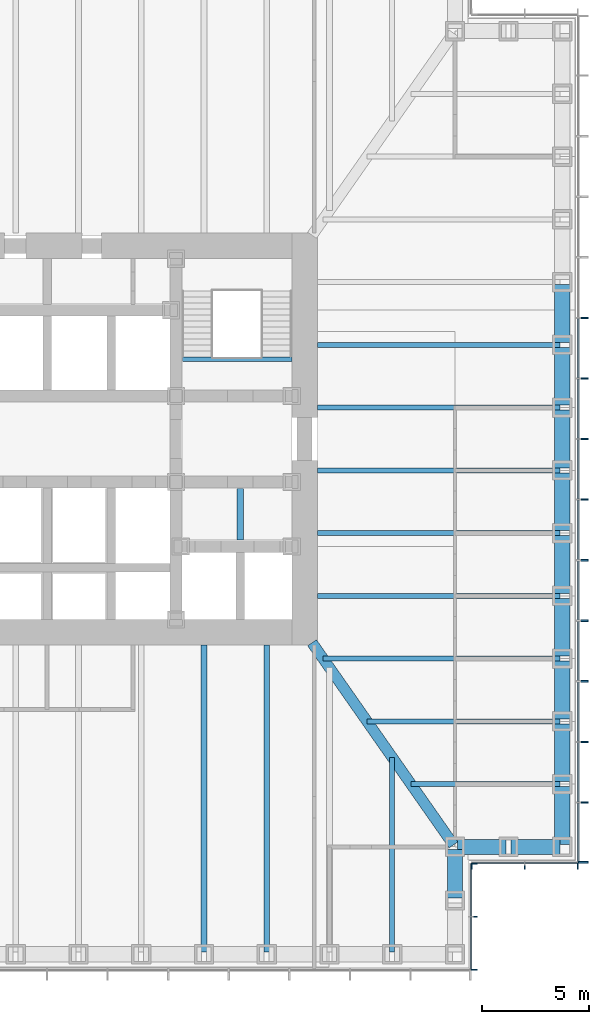
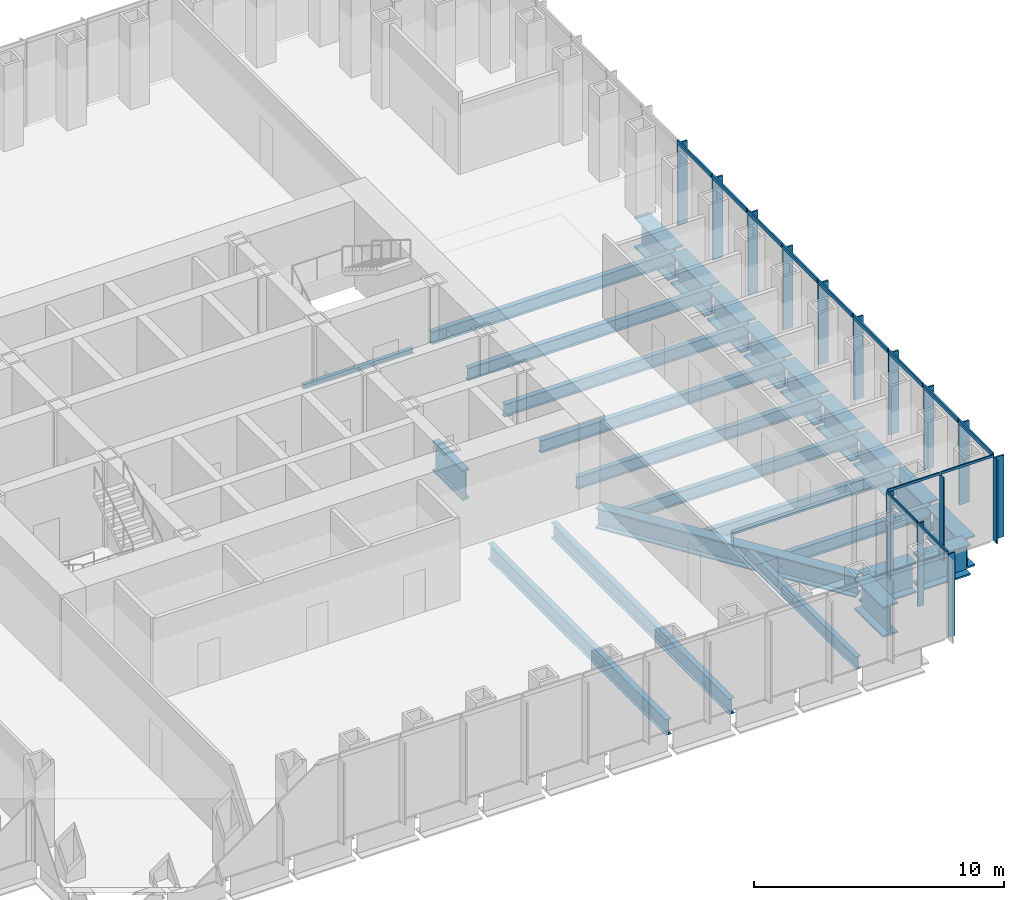
# One storey, part 4 of 16: 29 members, 26 beams, 3 elements without a shape of their own.
"""IFC4 building model written with IfcOpenShell, lengths in metres."""

from ifc_helpers import new_model, si_unit, direction, frame, origin, origin_2d, place, context, subcontext, project, spatial, rectangle, i_section, extrude, material, material_profile, profile_set, type_object, element, aggregate, save


model = new_model("IFC4")

# Units and contexts
model_context = context("Model", 3, precision=1e-05, world=origin(), true_north=direction((0.0, 1.0)))
body_context = subcontext(model_context, "Body", "Model", "MODEL_VIEW")
ifc_project = project(units=[si_unit("LENGTHUNIT", "METRE"), si_unit("AREAUNIT", "SQUARE_METRE"), si_unit("VOLUMEUNIT", "CUBIC_METRE"), si_unit("PLANEANGLEUNIT", "RADIAN"), si_unit("MASSUNIT", "GRAM", prefix="KILO")], contexts=[model_context])

# Site, building, storey
site_placement = place(None, origin())
site = spatial("IfcSite", under=ifc_project, at=site_placement, CompositionType="ELEMENT")
building_placement = place(site_placement, origin())
building = spatial("IfcBuilding", under=site, at=building_placement, Name="Daluyong Arena Tower", CompositionType="ELEMENT")
storey_placement = place(building_placement, frame((0.0, 0.0, 76.89990234375)))
storey = spatial("IfcBuildingStorey", under=building, at=storey_placement, Name="L16", CompositionType="ELEMENT", Elevation=76.89990234375)

# Curtain wall, members
ifc_material_1 = material(Name="Bronze anodised aluminium and glass", Category="aluminium")
curtain_wall_type_1 = type_object("IfcCurtainWallType", Name="Curtain wall CW1", PredefinedType="USERDEFINED", material=ifc_material_1)
curtain_wall_1_placement = place(storey_placement, origin())
curtain_wall_1 = element("IfcCurtainWall", 1, at=curtain_wall_1_placement, inside=storey, type_object=curtain_wall_type_1, Name="curtain wall L16 E", ObjectType="UNITISED CURTAIN WALL", PredefinedType="USERDEFINED")
ifc_material_2 = material(Name="Bronze anodised aluminium fin", Category="aluminium")
ifc_material_profile_1 = material_profile(ifc_material_2, rectangle(XDim=0.449951171875, YDim=0.080078125, at=origin_2d()))
ifc_profile_set_1 = profile_set([ifc_material_profile_1], Name="Bronze anodised aluminium fin")
member_type_1 = type_object("IfcMemberType", Name="CW1 bronze fin 450x80", PredefinedType="MULLION", material=ifc_profile_set_1)
member_1_placement = place(storey_placement, frame((80.97509765625, 60.2900390625, 0.0), z_axis=(0.0, 0.0, 1.0), x_axis=(-1.0, 0.0, 0.0)))
member_1 = element("IfcMember", 2, at=member_1_placement, type_object=member_type_1, Name="curtain wall L16 E fin 1", PredefinedType="MULLION", context=body_context, shape_type="SweptSolid", body=[
    extrude(rectangle(XDim=0.449951171875, YDim=0.080078125, at=origin_2d()), origin(), (0.0, 0.0, 1.0), 4.0),
])
member_2_placement = place(storey_placement, frame((80.97509765625, 63.071533203125, 0.0), z_axis=(0.0, 0.0, 1.0), x_axis=(-1.0, 0.0, 0.0)))
member_2 = element("IfcMember", 3, at=member_2_placement, type_object=member_type_1, Name="curtain wall L16 E fin 2", PredefinedType="MULLION", context=body_context, shape_type="SweptSolid", body=[
    extrude(rectangle(XDim=0.449951171875, YDim=0.080078125, at=origin_2d()), origin(), (0.0, 0.0, 1.0), 4.0),
])
member_3_placement = place(storey_placement, frame((80.97509765625, 65.892822265625, 0.0), z_axis=(0.0, 0.0, 1.0), x_axis=(-1.0, 0.0, 0.0)))
member_3 = element("IfcMember", 4, at=member_3_placement, type_object=member_type_1, Name="curtain wall L16 E fin 3", PredefinedType="MULLION", context=body_context, shape_type="SweptSolid", body=[
    extrude(rectangle(XDim=0.449951171875, YDim=0.080078125, at=origin_2d()), origin(), (0.0, 0.0, 1.0), 4.0),
])
member_4_placement = place(storey_placement, frame((80.97509765625, 68.71435546875, 0.0), z_axis=(0.0, 0.0, 1.0), x_axis=(-1.0, 0.0, 0.0)))
member_4 = element("IfcMember", 5, at=member_4_placement, type_object=member_type_1, Name="curtain wall L16 E fin 4", PredefinedType="MULLION", context=body_context, shape_type="SweptSolid", body=[
    extrude(rectangle(XDim=0.449951171875, YDim=0.080078125, at=origin_2d()), origin(), (0.0, 0.0, 1.0), 4.0),
])
member_5_placement = place(storey_placement, frame((80.97509765625, 71.53564453125, 0.0), z_axis=(0.0, 0.0, 1.0), x_axis=(-1.0, 0.0, 0.0)))
member_5 = element("IfcMember", 6, at=member_5_placement, type_object=member_type_1, Name="curtain wall L16 E fin 5", PredefinedType="MULLION", context=body_context, shape_type="SweptSolid", body=[
    extrude(rectangle(XDim=0.449951171875, YDim=0.080078125, at=origin_2d()), origin(), (0.0, 0.0, 1.0), 4.0),
])
member_6_placement = place(storey_placement, frame((80.97509765625, 74.357177734375, 0.0), z_axis=(0.0, 0.0, 1.0), x_axis=(-1.0, 0.0, 0.0)))
member_6 = element("IfcMember", 7, at=member_6_placement, type_object=member_type_1, Name="curtain wall L16 E fin 6", PredefinedType="MULLION", context=body_context, shape_type="SweptSolid", body=[
    extrude(rectangle(XDim=0.449951171875, YDim=0.080078125, at=origin_2d()), origin(), (0.0, 0.0, 1.0), 4.0),
])
member_7_placement = place(storey_placement, frame((80.97509765625, 77.178466796875, 0.0), z_axis=(0.0, 0.0, 1.0), x_axis=(-1.0, 0.0, 0.0)))
member_7 = element("IfcMember", 8, at=member_7_placement, type_object=member_type_1, Name="curtain wall L16 E fin 7", PredefinedType="MULLION", context=body_context, shape_type="SweptSolid", body=[
    extrude(rectangle(XDim=0.449951171875, YDim=0.080078125, at=origin_2d()), origin(), (0.0, 0.0, 1.0), 4.0),
])
member_8_placement = place(storey_placement, frame((80.97509765625, 80.0, 0.0), z_axis=(0.0, 0.0, 1.0), x_axis=(-1.0, 0.0, 0.0)))
member_8 = element("IfcMember", 9, at=member_8_placement, type_object=member_type_1, Name="curtain wall L16 E fin 8", PredefinedType="MULLION", context=body_context, shape_type="SweptSolid", body=[
    extrude(rectangle(XDim=0.449951171875, YDim=0.080078125, at=origin_2d()), origin(), (0.0, 0.0, 1.0), 4.0),
])
member_9_placement = place(storey_placement, frame((80.97509765625, 82.821533203125, 0.0), z_axis=(0.0, 0.0, 1.0), x_axis=(-1.0, 0.0, 0.0)))
member_9 = element("IfcMember", 10, at=member_9_placement, type_object=member_type_1, Name="curtain wall L16 E fin 9", PredefinedType="MULLION", context=body_context, shape_type="SweptSolid", body=[
    extrude(rectangle(XDim=0.449951171875, YDim=0.080078125, at=origin_2d()), origin(), (0.0, 0.0, 1.0), 4.0),
])
member_10_placement = place(storey_placement, frame((80.97509765625, 85.642822265625, 0.0), z_axis=(0.0, 0.0, 1.0), x_axis=(-1.0, 0.0, 0.0)))
member_10 = element("IfcMember", 11, at=member_10_placement, type_object=member_type_1, Name="curtain wall L16 E fin 10", PredefinedType="MULLION", context=body_context, shape_type="SweptSolid", body=[
    extrude(rectangle(XDim=0.449951171875, YDim=0.080078125, at=origin_2d()), origin(), (0.0, 0.0, 1.0), 4.0),
])
ifc_material_3 = material(Name="Bronze anodised aluminium", Category="aluminium")
ifc_material_profile_2 = material_profile(ifc_material_3, rectangle(XDim=0.080078125, YDim=0.199951171875, at=origin_2d()))
ifc_profile_set_2 = profile_set([ifc_material_profile_2], Name="Bronze anodised aluminium")
member_type_2 = type_object("IfcMemberType", Name="CW1 stack transom 200x80", PredefinedType="USERDEFINED", material=ifc_profile_set_2)
member_11_placement = place(storey_placement, frame((80.75, 60.330078125, 4.10009765625), z_axis=(0.0, 1.0, 0.0), x_axis=(-1.0, 0.0, 0.0)))
member_11 = element("IfcMember", 12, at=member_11_placement, type_object=member_type_2, Name="curtain wall L16 E transom 1", ObjectType="TRANSOM", PredefinedType="USERDEFINED", context=body_context, shape_type="SweptSolid", body=[
    extrude(rectangle(XDim=0.080078125, YDim=0.199951171875, at=origin_2d()), origin(), (0.0, 0.0, 1.0), 2.701416015625),
])
member_12_placement = place(storey_placement, frame((80.75, 63.111328125, 4.10009765625), z_axis=(0.0, 1.0, 0.0), x_axis=(-1.0, 0.0, 0.0)))
member_12 = element("IfcMember", 13, at=member_12_placement, type_object=member_type_2, Name="curtain wall L16 E transom 2", ObjectType="TRANSOM", PredefinedType="USERDEFINED", context=body_context, shape_type="SweptSolid", body=[
    extrude(rectangle(XDim=0.080078125, YDim=0.199951171875, at=origin_2d()), origin(), (0.0, 0.0, 1.0), 2.741455078125),
])
member_13_placement = place(storey_placement, frame((80.75, 65.932861328125, 4.10009765625), z_axis=(0.0, 1.0, 0.0), x_axis=(-1.0, 0.0, 0.0)))
member_13 = element("IfcMember", 14, at=member_13_placement, type_object=member_type_2, Name="curtain wall L16 E transom 3", ObjectType="TRANSOM", PredefinedType="USERDEFINED", context=body_context, shape_type="SweptSolid", body=[
    extrude(rectangle(XDim=0.080078125, YDim=0.199951171875, at=origin_2d()), origin(), (0.0, 0.0, 1.0), 2.741455078125),
])
member_14_placement = place(storey_placement, frame((80.75, 68.75439453125, 4.10009765625), z_axis=(0.0, 1.0, 0.0), x_axis=(-1.0, 0.0, 0.0)))
member_14 = element("IfcMember", 15, at=member_14_placement, type_object=member_type_2, Name="curtain wall L16 E transom 4", ObjectType="TRANSOM", PredefinedType="USERDEFINED", context=body_context, shape_type="SweptSolid", body=[
    extrude(rectangle(XDim=0.080078125, YDim=0.199951171875, at=origin_2d()), origin(), (0.0, 0.0, 1.0), 2.7412109375),
])
member_15_placement = place(storey_placement, frame((80.75, 71.57568359375, 4.10009765625), z_axis=(0.0, 1.0, 0.0), x_axis=(-1.0, 0.0, 0.0)))
member_15 = element("IfcMember", 16, at=member_15_placement, type_object=member_type_2, Name="curtain wall L16 E transom 5", ObjectType="TRANSOM", PredefinedType="USERDEFINED", context=body_context, shape_type="SweptSolid", body=[
    extrude(rectangle(XDim=0.080078125, YDim=0.199951171875, at=origin_2d()), origin(), (0.0, 0.0, 1.0), 2.741455078125),
])
member_16_placement = place(storey_placement, frame((80.75, 74.397216796875, 4.10009765625), z_axis=(0.0, 1.0, 0.0), x_axis=(-1.0, 0.0, 0.0)))
member_16 = element("IfcMember", 17, at=member_16_placement, type_object=member_type_2, Name="curtain wall L16 E transom 6", ObjectType="TRANSOM", PredefinedType="USERDEFINED", context=body_context, shape_type="SweptSolid", body=[
    extrude(rectangle(XDim=0.080078125, YDim=0.199951171875, at=origin_2d()), origin(), (0.0, 0.0, 1.0), 2.741455078125),
])
member_17_placement = place(storey_placement, frame((80.75, 77.218505859375, 4.10009765625), z_axis=(0.0, 1.0, 0.0), x_axis=(-1.0, 0.0, 0.0)))
member_17 = element("IfcMember", 18, at=member_17_placement, type_object=member_type_2, Name="curtain wall L16 E transom 7", ObjectType="TRANSOM", PredefinedType="USERDEFINED", context=body_context, shape_type="SweptSolid", body=[
    extrude(rectangle(XDim=0.080078125, YDim=0.199951171875, at=origin_2d()), origin(), (0.0, 0.0, 1.0), 2.741455078125),
])
member_18_placement = place(storey_placement, frame((80.75, 80.0400390625, 4.10009765625), z_axis=(0.0, 1.0, 0.0), x_axis=(-1.0, 0.0, 0.0)))
member_18 = element("IfcMember", 19, at=member_18_placement, type_object=member_type_2, Name="curtain wall L16 E transom 8", ObjectType="TRANSOM", PredefinedType="USERDEFINED", context=body_context, shape_type="SweptSolid", body=[
    extrude(rectangle(XDim=0.080078125, YDim=0.199951171875, at=origin_2d()), origin(), (0.0, 0.0, 1.0), 2.741455078125),
])
member_19_placement = place(storey_placement, frame((80.75, 82.861328125, 4.10009765625), z_axis=(0.0, 1.0, 0.0), x_axis=(-1.0, 0.0, 0.0)))
member_19 = element("IfcMember", 20, at=member_19_placement, type_object=member_type_2, Name="curtain wall L16 E transom 9", ObjectType="TRANSOM", PredefinedType="USERDEFINED", context=body_context, shape_type="SweptSolid", body=[
    extrude(rectangle(XDim=0.080078125, YDim=0.199951171875, at=origin_2d()), origin(), (0.0, 0.0, 1.0), 2.741455078125),
])
aggregate(curtain_wall_1, [member_1, member_2, member_3, member_4, member_5, member_6, member_7, member_8, member_9, member_10, member_11, member_12, member_13, member_14, member_15, member_16, member_17, member_18, member_19])

ifc_material_4 = material(Name="Bronze anodised aluminium and glass", Category="aluminium")
curtain_wall_type_2 = type_object("IfcCurtainWallType", Name="Curtain wall CW7", PredefinedType="USERDEFINED", material=ifc_material_4)
curtain_wall_2_placement = place(storey_placement, origin())
curtain_wall_2 = element("IfcCurtainWall", 21, at=curtain_wall_2_placement, inside=storey, type_object=curtain_wall_type_2, Name="curtain wall L16 SE-E", ObjectType="UNITISED CURTAIN WALL", PredefinedType="USERDEFINED")
ifc_material_5 = material(Name="Bronze anodised aluminium fin", Category="aluminium")
ifc_material_profile_3 = material_profile(ifc_material_5, rectangle(XDim=0.300048828125, YDim=0.06005859375, at=origin_2d()))
ifc_profile_set_3 = profile_set([ifc_material_profile_3], Name="Bronze anodised aluminium fin")
member_type_3 = type_object("IfcMemberType", Name="CW7 bronze fin 300x60", PredefinedType="MULLION", material=ifc_profile_set_3)
member_20_placement = place(storey_placement, frame((75.89990234375, 55.280029296875, 0.0), z_axis=(0.0, 0.0, 1.0), x_axis=(-1.0, 0.0, 0.0)))
member_20 = element("IfcMember", 22, at=member_20_placement, type_object=member_type_3, Name="curtain wall L16 SE-E fin 1", PredefinedType="MULLION", context=body_context, shape_type="SweptSolid", body=[
    extrude(rectangle(XDim=0.300048828125, YDim=0.06005859375, at=origin_2d()), origin(), (0.0, 0.0, 1.0), 4.080078125),
])
member_21_placement = place(storey_placement, frame((75.89990234375, 57.75, 0.0), z_axis=(0.0, 0.0, 1.0), x_axis=(-1.0, 0.0, 0.0)))
member_21 = element("IfcMember", 23, at=member_21_placement, type_object=member_type_3, Name="curtain wall L16 SE-E fin 2", PredefinedType="MULLION", context=body_context, shape_type="SweptSolid", body=[
    extrude(rectangle(XDim=0.300048828125, YDim=0.06005859375, at=origin_2d()), origin(), (0.0, 0.0, 1.0), 4.080078125),
])
member_22_placement = place(storey_placement, frame((75.89990234375, 60.219970703125, 0.0), z_axis=(0.0, 0.0, 1.0), x_axis=(-1.0, 0.0, 0.0)))
member_22 = element("IfcMember", 24, at=member_22_placement, type_object=member_type_3, Name="curtain wall L16 SE-E fin 3", PredefinedType="MULLION", context=body_context, shape_type="SweptSolid", body=[
    extrude(rectangle(XDim=0.300048828125, YDim=0.06005859375, at=origin_2d()), origin(), (0.0, 0.0, 1.0), 4.080078125),
])

curtain_wall_3_placement = place(storey_placement, origin())
curtain_wall_3 = element("IfcCurtainWall", 25, at=curtain_wall_3_placement, inside=storey, type_object=curtain_wall_type_2, Name="curtain wall L16 SE-S", ObjectType="UNITISED CURTAIN WALL", PredefinedType="USERDEFINED")
member_23_placement = place(storey_placement, frame((75.780029296875, 60.10009765625, 0.0), z_axis=(0.0, 0.0, 1.0), x_axis=(0.0, 1.0, 0.0)))
member_23 = element("IfcMember", 26, at=member_23_placement, type_object=member_type_3, Name="curtain wall L16 SE-S fin 1", PredefinedType="MULLION", context=body_context, shape_type="SweptSolid", body=[
    extrude(rectangle(XDim=0.300048828125, YDim=0.06005859375, at=origin_2d()), origin(), (0.0, 0.0, 1.0), 4.080078125),
])
member_24_placement = place(storey_placement, frame((78.25, 60.10009765625, 0.0), z_axis=(0.0, 0.0, 1.0), x_axis=(0.0, 1.0, 0.0)))
member_24 = element("IfcMember", 27, at=member_24_placement, type_object=member_type_3, Name="curtain wall L16 SE-S fin 2", PredefinedType="MULLION", context=body_context, shape_type="SweptSolid", body=[
    extrude(rectangle(XDim=0.300048828125, YDim=0.06005859375, at=origin_2d()), origin(), (0.0, 0.0, 1.0), 4.080078125),
])
member_25_placement = place(storey_placement, frame((80.719970703125, 60.10009765625, 0.0), z_axis=(0.0, 0.0, 1.0), x_axis=(0.0, 1.0, 0.0)))
member_25 = element("IfcMember", 28, at=member_25_placement, type_object=member_type_3, Name="curtain wall L16 SE-S fin 3", PredefinedType="MULLION", context=body_context, shape_type="SweptSolid", body=[
    extrude(rectangle(XDim=0.300048828125, YDim=0.06005859375, at=origin_2d()), origin(), (0.0, 0.0, 1.0), 4.080078125),
])

# Member
ifc_material_6 = material(Name="Bronze anodised aluminium", Category="aluminium")
ifc_material_profile_4 = material_profile(ifc_material_6, rectangle(XDim=0.06005859375, YDim=0.1201171875, at=origin_2d()))
ifc_profile_set_4 = profile_set([ifc_material_profile_4], Name="Bronze anodised aluminium")
member_type_4 = type_object("IfcMemberType", Name="CW7 stack transom 120x60", PredefinedType="USERDEFINED", material=ifc_profile_set_4)
member_26_placement = place(storey_placement, frame((75.75, 55.31005859375, 4.14013671875), z_axis=(0.0, 1.0, 0.0), x_axis=(-1.0, 0.0, 0.0)))
member_26 = element("IfcMember", 29, at=member_26_placement, type_object=member_type_4, Name="curtain wall L16 SE-E transom 1", ObjectType="TRANSOM", PredefinedType="USERDEFINED", context=body_context, shape_type="SweptSolid", body=[
    extrude(rectangle(XDim=0.06005859375, YDim=0.1201171875, at=origin_2d()), origin(), (0.0, 0.0, 1.0), 2.409912109375),
])

member_27_placement = place(storey_placement, frame((75.75, 57.780029296875, 4.14013671875), z_axis=(0.0, 1.0, 0.0), x_axis=(-1.0, 0.0, 0.0)))
member_27 = element("IfcMember", 30, at=member_27_placement, type_object=member_type_4, Name="curtain wall L16 SE-E transom 2", ObjectType="TRANSOM", PredefinedType="USERDEFINED", context=body_context, shape_type="SweptSolid", body=[
    extrude(rectangle(XDim=0.06005859375, YDim=0.1201171875, at=origin_2d()), origin(), (0.0, 0.0, 1.0), 2.409912109375),
])

aggregate(curtain_wall_2, [member_20, member_21, member_22, member_26, member_27])

member_28_placement = place(storey_placement, frame((75.81005859375, 60.25, 4.14013671875), z_axis=(1.0, 0.0, 0.0), x_axis=(0.0, 1.0, 0.0)))
member_28 = element("IfcMember", 31, at=member_28_placement, type_object=member_type_4, Name="curtain wall L16 SE-S transom 1", ObjectType="TRANSOM", PredefinedType="USERDEFINED", context=body_context, shape_type="SweptSolid", body=[
    extrude(rectangle(XDim=0.06005859375, YDim=0.1201171875, at=origin_2d()), origin(), (0.0, 0.0, 1.0), 2.409912109375),
])

member_29_placement = place(storey_placement, frame((78.280029296875, 60.25, 4.14013671875), z_axis=(1.0, 0.0, 0.0), x_axis=(0.0, 1.0, 0.0)))
member_29 = element("IfcMember", 32, at=member_29_placement, type_object=member_type_4, Name="curtain wall L16 SE-S transom 2", ObjectType="TRANSOM", PredefinedType="USERDEFINED", context=body_context, shape_type="SweptSolid", body=[
    extrude(rectangle(XDim=0.06005859375, YDim=0.1201171875, at=origin_2d()), origin(), (0.0, 0.0, 1.0), 2.409912109375),
])

aggregate(curtain_wall_3, [member_23, member_24, member_25, member_28, member_29])

# Beams
ifc_material_7 = material(Name="Steel ASTM A572 Grade 50", Category="steel")
ifc_material_profile_5 = material_profile(ifc_material_7, i_section(OverallWidth=0.5, OverallDepth=1.0, WebThickness=0.03, FlangeThickness=0.06, at=origin_2d()))
ifc_profile_set_5 = profile_set([ifc_material_profile_5], Name="Steel ASTM A572 Grade 50")
beam_type_1 = type_object("IfcBeamType", Name="Corner girder TB1000X500", PredefinedType="BEAM", material=ifc_profile_set_5)
beam_1_placement = place(storey_placement, frame((74.93408203125, 61.09423828125, -0.659912109375), z_axis=(-0.573466621875, 0.819228926244, 0.0), x_axis=(-0.819228926244, -0.573466621875, 0.0)))
element("IfcBeam", 33, at=beam_1_placement, inside=storey, type_object=beam_type_1, Name="corner girder DG2", PredefinedType="BEAM", context=body_context, shape_type="SweptSolid", body=[
    extrude(i_section(OverallWidth=0.5, OverallDepth=1.0, WebThickness=0.03, FlangeThickness=0.06, at=origin_2d()), origin(), (0.0, 0.0, 1.0), 11.49169921875),
])
ifc_material_8 = material(Name="Steel ASTM A992 Grade 50", Category="steel")
ifc_material_profile_6 = material_profile(ifc_material_8, i_section(OverallWidth=0.22900390625, OverallDepth=0.612060546875, WebThickness=0.011962890625, FlangeThickness=0.01953125, at=origin_2d()))
ifc_profile_set_6 = profile_set([ifc_material_profile_6], Name="Steel ASTM A992 Grade 50")
beam_type_2 = type_object("IfcBeamType", Name="Floor beam W24X84", PredefinedType="BEAM", material=ifc_profile_set_6)
beam_2_placement = place(storey_placement, frame((72.076904296875, 56.114990234375, -0.466064453125), z_axis=(0.0, 1.0, 0.0), x_axis=(-1.0, 0.0, 0.0)))
element("IfcBeam", 34, at=beam_2_placement, inside=storey, type_object=beam_type_2, Name="floor beam FB3", PredefinedType="BEAM", context=body_context, shape_type="SweptSolid", body=[
    extrude(i_section(OverallWidth=0.22900390625, OverallDepth=0.612060546875, WebThickness=0.011962890625, FlangeThickness=0.01953125, at=origin_2d()), origin(), (0.0, 0.0, 1.0), 9.060791015625),
])
beam_3_placement = place(storey_placement, frame((79.885009765625, 63.923095703125, -0.466064453125), z_axis=(-1.0, 0.0, 0.0), x_axis=(0.0, -1.0, 0.0)))
element("IfcBeam", 35, at=beam_3_placement, inside=storey, type_object=beam_type_2, Name="floor beam FB3", PredefinedType="BEAM", context=body_context, shape_type="SweptSolid", body=[
    extrude(i_section(OverallWidth=0.22900390625, OverallDepth=0.612060546875, WebThickness=0.011962890625, FlangeThickness=0.01953125, at=origin_2d()), origin(), (0.0, 0.0, 1.0), 6.93115234375),
])
beam_4_placement = place(storey_placement, frame((79.885009765625, 66.84619140625, -0.466064453125), z_axis=(-1.0, 0.0, 0.0), x_axis=(0.0, -1.0, 0.0)))
element("IfcBeam", 36, at=beam_4_placement, inside=storey, type_object=beam_type_2, Name="floor beam FB3", PredefinedType="BEAM", context=body_context, shape_type="SweptSolid", body=[
    extrude(i_section(OverallWidth=0.22900390625, OverallDepth=0.612060546875, WebThickness=0.011962890625, FlangeThickness=0.01953125, at=origin_2d()), origin(), (0.0, 0.0, 1.0), 8.977294921875),
])
beam_5_placement = place(storey_placement, frame((79.885009765625, 69.769287109375, -0.466064453125), z_axis=(-1.0, 0.0, 0.0), x_axis=(0.0, -1.0, 0.0)))
element("IfcBeam", 37, at=beam_5_placement, inside=storey, type_object=beam_type_2, Name="floor beam FB3", PredefinedType="BEAM", context=body_context, shape_type="SweptSolid", body=[
    extrude(i_section(OverallWidth=0.22900390625, OverallDepth=0.612060546875, WebThickness=0.011962890625, FlangeThickness=0.01953125, at=origin_2d()), origin(), (0.0, 0.0, 1.0), 11.0234375),
])
for number, where, z_axis, x_axis, name in (
    (38, (79.885009765625, 72.6923828125, -0.466064453125), (-1.0, 0.0, 0.0), (0.0, -1.0, 0.0), "floor beam FB3"),
    (39, (79.885009765625, 75.615478515625, -0.466064453125), (-1.0, 0.0, 0.0), (0.0, -1.0, 0.0), "floor beam FB3"),
    (40, (79.885009765625, 78.53857421875, -0.466064453125), (-1.0, 0.0, 0.0), (0.0, -1.0, 0.0), "floor beam FB3"),
    (41, (79.885009765625, 81.46142578125, -0.466064453125), (-1.0, 0.0, 0.0), (0.0, -1.0, 0.0), "floor beam FB3"),
    (42, (79.885009765625, 84.384521484375, -0.466064453125), (-1.0, 0.0, 0.0), (0.0, -1.0, 0.0), "floor beam FB3"),
):
    element("IfcBeam", number, at=place(storey_placement, frame(where, z_axis=z_axis, x_axis=x_axis)), inside=storey, type_object=beam_type_2, Name=name, PredefinedType="BEAM", context=body_context, shape_type="SweptSolid", body=[
        extrude(i_section(OverallWidth=0.22900390625, OverallDepth=0.612060546875, WebThickness=0.011962890625, FlangeThickness=0.01953125, at=origin_2d()), origin(), (0.0, 0.0, 1.0), 11.284912109375),
    ])
ifc_material_9 = material(Name="Steel ASTM A992 Grade 50", Category="steel")
ifc_material_profile_7 = material_profile(ifc_material_9, i_section(OverallWidth=0.2666015625, OverallDepth=0.761962890625, WebThickness=0.014404296875, FlangeThickness=0.021484375, at=origin_2d()))
ifc_profile_set_7 = profile_set([ifc_material_profile_7], Name="Steel ASTM A992 Grade 50")
beam_type_3 = type_object("IfcBeamType", Name="Floor beam W30X116", PredefinedType="BEAM", material=ifc_profile_set_7)
for number, where, z_axis, x_axis, name in (
    (43, (63.3076171875, 56.114990234375, -0.541015625), (0.0, 1.0, 0.0), (-1.0, 0.0, 0.0), "floor beam FB4"),
    (44, (66.230712890625, 56.114990234375, -0.541015625), (0.0, 1.0, 0.0), (-1.0, 0.0, 0.0), "floor beam FB4"),
):
    element("IfcBeam", number, at=place(storey_placement, frame(where, z_axis=z_axis, x_axis=x_axis)), inside=storey, type_object=beam_type_3, Name=name, PredefinedType="BEAM", context=body_context, shape_type="SweptSolid", body=[
        extrude(i_section(OverallWidth=0.2666015625, OverallDepth=0.761962890625, WebThickness=0.014404296875, FlangeThickness=0.021484375, at=origin_2d()), origin(), (0.0, 0.0, 1.0), 14.284912109375),
    ])
ifc_material_10 = material(Name="Steel ASTM A572 Grade 50", Category="steel")
ifc_material_profile_8 = material_profile(ifc_material_10, i_section(OverallWidth=0.300048828125, OverallDepth=1.5, WebThickness=0.04, FlangeThickness=0.1, at=origin_2d()))
ifc_profile_set_8 = profile_set([ifc_material_profile_8], Name="Steel ASTM A572 Grade 50")
beam_type_4 = type_object("IfcBeamType", Name="Lift divider beam PG1500X300", PredefinedType="BEAM", material=ifc_profile_set_8)
beam_6_placement = place(storey_placement, frame((65.0, 75.300048828125, -0.909912109375), z_axis=(0.0, 1.0, 0.0), x_axis=(-1.0, 0.0, 0.0)))
element("IfcBeam", 45, at=beam_6_placement, inside=storey, type_object=beam_type_4, Name="lift divider beam DB2", PredefinedType="BEAM", context=body_context, shape_type="SweptSolid", body=[
    extrude(i_section(OverallWidth=0.300048828125, OverallDepth=1.5, WebThickness=0.04, FlangeThickness=0.1, at=origin_2d()), origin(), (0.0, 0.0, 1.0), 2.39990234375),
])
ifc_material_11 = material(Name="Steel ASTM A572 Grade 50", Category="steel")
ifc_material_profile_9 = material_profile(ifc_material_11, i_section(OverallWidth=0.699951171875, OverallDepth=1.5, WebThickness=0.04, FlangeThickness=0.08, at=origin_2d()))
ifc_profile_set_9 = profile_set([ifc_material_profile_9], Name="Steel ASTM A572 Grade 50")
beam_type_5 = type_object("IfcBeamType", Name="Spandrel Z1 PG1500X700", PredefinedType="SPANDREL", material=ifc_profile_set_9)
for number, where, z_axis, x_axis, name in (
    (46, (75.0, 58.614990234375, -0.909912109375), (0.0, 1.0, 0.0), (-1.0, 0.0, 0.0), "spandrel z1 SB4"),
    (47, (75.114990234375, 61.0, -0.909912109375), (1.0, 0.0, 0.0), (0.0, 1.0, 0.0), "spandrel z1 SB4"),
    (48, (77.614990234375, 61.0, -0.909912109375), (1.0, 0.0, 0.0), (0.0, 1.0, 0.0), "spandrel z1 SB4"),
):
    element("IfcBeam", number, at=place(storey_placement, frame(where, z_axis=z_axis, x_axis=x_axis)), inside=storey, type_object=beam_type_5, Name=name, PredefinedType="SPANDREL", context=body_context, shape_type="SweptSolid", body=[
        extrude(i_section(OverallWidth=0.699951171875, OverallDepth=1.5, WebThickness=0.04, FlangeThickness=0.08, at=origin_2d()), origin(), (0.0, 0.0, 1.0), 2.27001953125),
    ])
for number, where, z_axis, x_axis, name in (
    (49, (80.0, 61.114990234375, -0.909912109375), (0.0, 1.0, 0.0), (-1.0, 0.0, 0.0), "spandrel z1 SB4"),
    (50, (80.0, 64.0380859375, -0.909912109375), (0.0, 1.0, 0.0), (-1.0, 0.0, 0.0), "spandrel z1 SB4"),
    (51, (80.0, 66.961181640625, -0.909912109375), (0.0, 1.0, 0.0), (-1.0, 0.0, 0.0), "spandrel z1 SB4"),
    (52, (80.0, 69.88427734375, -0.909912109375), (0.0, 1.0, 0.0), (-1.0, 0.0, 0.0), "spandrel z1 SB4"),
    (53, (80.0, 72.807373046875, -0.909912109375), (0.0, 1.0, 0.0), (-1.0, 0.0, 0.0), "spandrel z1 SB4"),
    (54, (80.0, 75.73046875, -0.909912109375), (0.0, 1.0, 0.0), (-1.0, 0.0, 0.0), "spandrel z1 SB4"),
):
    element("IfcBeam", number, at=place(storey_placement, frame(where, z_axis=z_axis, x_axis=x_axis)), inside=storey, type_object=beam_type_5, Name=name, PredefinedType="SPANDREL", context=body_context, shape_type="SweptSolid", body=[
        extrude(i_section(OverallWidth=0.699951171875, OverallDepth=1.5, WebThickness=0.04, FlangeThickness=0.08, at=origin_2d()), origin(), (0.0, 0.0, 1.0), 2.693115234375),
    ])
beam_7_placement = place(storey_placement, frame((80.0, 78.653564453125, -0.909912109375), z_axis=(0.0, 1.0, 0.0), x_axis=(-1.0, 0.0, 0.0)))
element("IfcBeam", 55, at=beam_7_placement, inside=storey, type_object=beam_type_5, Name="spandrel z1 SB4", PredefinedType="SPANDREL", context=body_context, shape_type="SweptSolid", body=[
    extrude(i_section(OverallWidth=0.699951171875, OverallDepth=1.5, WebThickness=0.04, FlangeThickness=0.08, at=origin_2d()), origin(), (0.0, 0.0, 1.0), 2.69287109375),
])
for number, where, z_axis, x_axis, name in (
    (56, (80.0, 81.576416015625, -0.909912109375), (0.0, 1.0, 0.0), (-1.0, 0.0, 0.0), "spandrel z1 SB4"),
    (57, (80.0, 84.49951171875, -0.909912109375), (0.0, 1.0, 0.0), (-1.0, 0.0, 0.0), "spandrel z1 SB4"),
):
    element("IfcBeam", number, at=place(storey_placement, frame(where, z_axis=z_axis, x_axis=x_axis)), inside=storey, type_object=beam_type_5, Name=name, PredefinedType="SPANDREL", context=body_context, shape_type="SweptSolid", body=[
        extrude(i_section(OverallWidth=0.699951171875, OverallDepth=1.5, WebThickness=0.04, FlangeThickness=0.08, at=origin_2d()), origin(), (0.0, 0.0, 1.0), 2.693115234375),
    ])
ifc_material_12 = material(Name="Steel ASTM A992 Grade 50", Category="steel")
ifc_material_profile_10 = material_profile(ifc_material_12, i_section(OverallWidth=0.203125, OverallDepth=0.203125, WebThickness=0.00732421875, FlangeThickness=0.010986328125, at=origin_2d()))
ifc_profile_set_10 = profile_set([ifc_material_profile_10], Name="Steel ASTM A992 Grade 50")
beam_type_6 = type_object("IfcBeamType", Name="Stair landing beam W8X31", PredefinedType="BEAM", material=ifc_profile_set_10)
beam_8_placement = place(storey_placement, frame((62.300048828125, 83.723388671875, -0.261474609375), z_axis=(1.0, 0.0, 0.0), x_axis=(0.0, 1.0, 0.0)))
element("IfcBeam", 58, at=beam_8_placement, inside=storey, type_object=beam_type_6, Name="exit stair B landing beam", PredefinedType="BEAM", context=body_context, shape_type="SweptSolid", body=[
    extrude(i_section(OverallWidth=0.203125, OverallDepth=0.203125, WebThickness=0.00732421875, FlangeThickness=0.010986328125, at=origin_2d()), origin(), (0.0, 0.0, 1.0), 5.099853515625),
])

save(model, "model.ifc")
